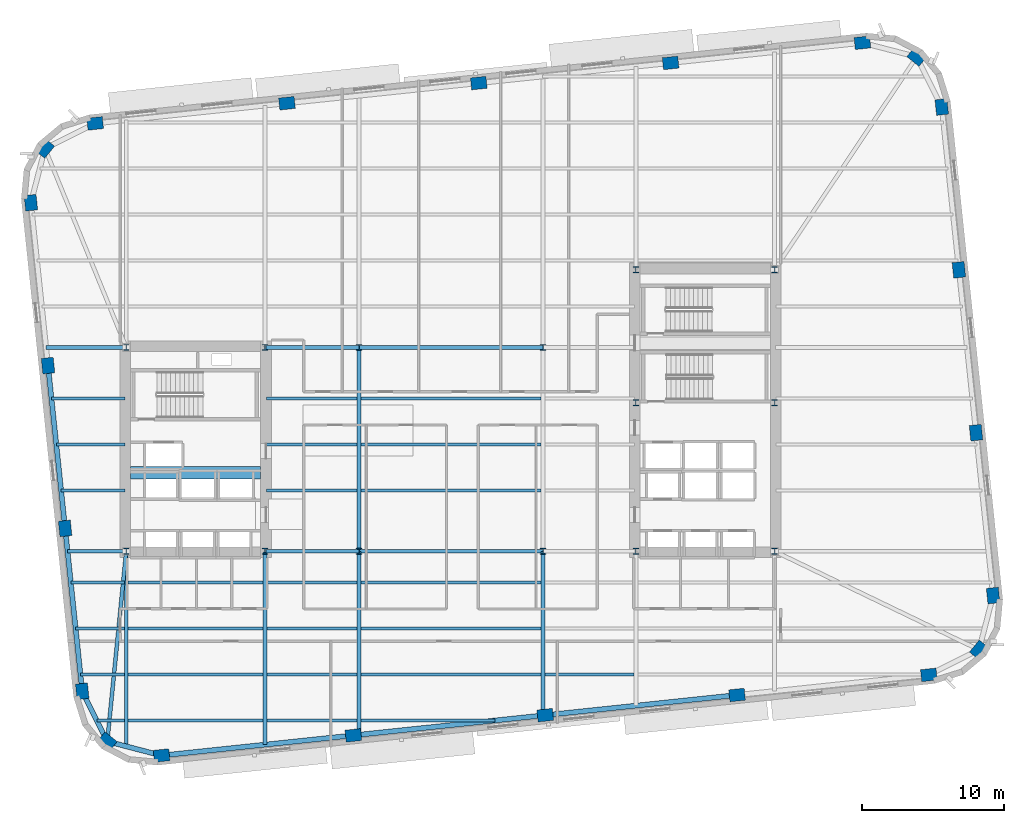
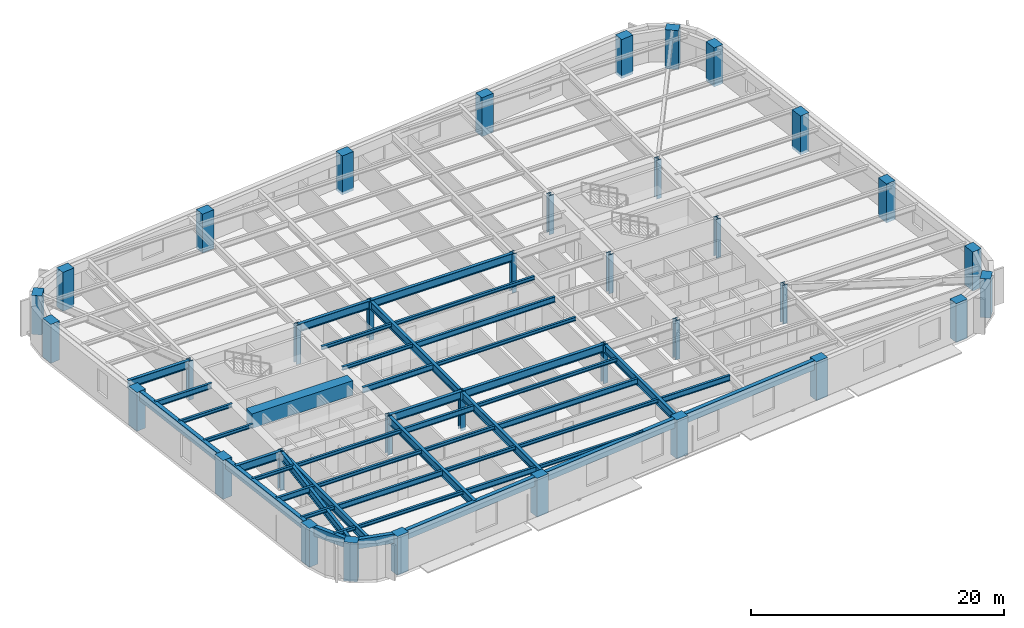
# One storey, part 1 of 15: 46 beams, 36 columns.
"""IFC4 building model written with IfcOpenShell, lengths in metres."""

from ifc_helpers import new_model, si_unit, direction, frame, origin, origin_2d, place, context, subcontext, project, spatial, rectangle, hollow_rectangle, i_section, extrude, material, material_profile, profile_set, type_object, element, save


model = new_model("IFC4")

# Units and contexts
model_context = context("Model", 3, precision=1e-05, world=origin(), true_north=direction((0.0, 1.0)))
body_context = subcontext(model_context, "Body", "Model", "MODEL_VIEW")
ifc_project = project(units=[si_unit("LENGTHUNIT", "METRE"), si_unit("AREAUNIT", "SQUARE_METRE"), si_unit("VOLUMEUNIT", "CUBIC_METRE"), si_unit("PLANEANGLEUNIT", "RADIAN"), si_unit("MASSUNIT", "GRAM", prefix="KILO")], contexts=[model_context])

# Site, building, storey
site_placement = place(None, origin())
site = spatial("IfcSite", under=ifc_project, at=site_placement, CompositionType="ELEMENT")
building_placement = place(site_placement, origin())
building = spatial("IfcBuilding", under=site, at=building_placement, Name="Kolvaren Arena Tower", CompositionType="ELEMENT")
storey_placement = place(building_placement, frame((0.0, 0.0, 107.199951171875)))
storey = spatial("IfcBuildingStorey", under=building, at=storey_placement, Name="L24", CompositionType="ELEMENT", Elevation=107.199951171875)

# Columns
ifc_material_1 = material(Name="Precast concrete C70/85", Category="concrete")
ifc_material_profile_1 = material_profile(ifc_material_1, rectangle(XDim=1.10009765625, YDim=0.85009765625, at=origin_2d()), Name="RC-1100x850")
ifc_profile_set_1 = profile_set([ifc_material_profile_1], Name="Precast concrete C70/85")
column_type_1 = type_object("IfcColumnType", Name="EXCOL-Z2", PredefinedType="COLUMN", material=ifc_profile_set_1)
for number, where, z_axis, x_axis, name in (
    (1, (17.0458984375, 5.024658203125, -0.27001953125), (0.0, 0.0, 1.0), (0.994521895368, 0.104528463268, 0.0), "Exoskeleton Perimeter Column 01 (L24)"),
    (2, (30.59619140625, 6.44873046875, -0.27001953125), (0.0, 0.0, 1.0), (0.994521895368, 0.104528463268, 0.0), "Exoskeleton Perimeter Column 02 (L24)"),
    (3, (44.146728515625, 7.873046875, -0.27001953125), (0.0, 0.0, 1.0), (0.994521895368, 0.104528463268, 0.0), "Exoskeleton Perimeter Column 03 (L24)"),
    (4, (57.697021484375, 9.297119140625, -0.27001953125), (0.0, 0.0, 1.0), (0.994521895368, 0.104528463268, 0.0), "Exoskeleton Perimeter Column 04 (L24)"),
    (5, (71.247314453125, 10.721435546875, -0.27001953125), (0.0, 0.0, 1.0), (0.994521895368, 0.104528463268, 0.0), "Exoskeleton Perimeter Column 05 (L24)"),
    (6, (74.790283203125, 12.49267578125, -0.27001953125), (0.0, 0.0, 1.0), (0.62932039105, 0.777145961457, 0.0), "Exoskeleton Perimeter Column 06 (L24)"),
    (7, (75.786376953125, 16.326416015625, -0.27001953125), (0.0, 0.0, 1.0), (-0.104528463268, 0.994521895368, 0.0), "Exoskeleton Perimeter Column 07 (L24)"),
    (8, (74.577392578125, 27.829833984375, -0.27001953125), (0.0, 0.0, 1.0), (-0.104528463268, 0.994521895368, 0.0), "Exoskeleton Perimeter Column 08 (L24)"),
    (9, (73.368408203125, 39.3330078125, -0.27001953125), (0.0, 0.0, 1.0), (-0.104528463268, 0.994521895368, 0.0), "Exoskeleton Perimeter Column 09 (L24)"),
    (10, (72.1591796875, 50.83642578125, -0.27001953125), (0.0, 0.0, 1.0), (-0.104528463268, 0.994521895368, 0.0), "Exoskeleton Perimeter Column 10 (L24)"),
    (11, (70.387939453125, 54.37939453125, -0.27001953125), (0.0, 0.0, 1.0), (-0.777145961457, 0.62932039105, 0.0), "Exoskeleton Perimeter Column 11 (L24)"),
    (12, (66.55419921875, 55.37548828125, -0.27001953125), (0.0, 0.0, 1.0), (0.994521895368, 0.104528463268, 0.0), "Exoskeleton Perimeter Column 12 (L24)"),
    (13, (53.003662109375, 53.951171875, -0.27001953125), (0.0, 0.0, 1.0), (0.994521895368, 0.104528463268, 0.0), "Exoskeleton Perimeter Column 13 (L24)"),
    (14, (39.453369140625, 52.527099609375, -0.27001953125), (0.0, 0.0, 1.0), (0.994521895368, 0.104528463268, 0.0), "Exoskeleton Perimeter Column 14 (L24)"),
    (15, (25.903076171875, 51.102783203125, -0.27001953125), (0.0, 0.0, 1.0), (0.994521895368, 0.104528463268, 0.0), "Exoskeleton Perimeter Column 15 (L24)"),
    (16, (12.3525390625, 49.6787109375, -0.27001953125), (0.0, 0.0, 1.0), (0.994521895368, 0.104528463268, 0.0), "Exoskeleton Perimeter Column 16 (L24)"),
    (17, (8.8095703125, 47.9072265625, -0.27001953125), (0.0, 0.0, 1.0), (0.62932039105, 0.777145961457, 0.0), "Exoskeleton Perimeter Column 17 (L24)"),
    (18, (7.813720703125, 44.073486328125, -0.27001953125), (0.0, 0.0, 1.0), (-0.104528463268, 0.994521895368, 0.0), "Exoskeleton Perimeter Column 18 (L24)"),
    (19, (9.022705078125, 32.5703125, -0.27001953125), (0.0, 0.0, 1.0), (-0.104528463268, 0.994521895368, 0.0), "Exoskeleton Perimeter Column 19 (L24)"),
    (20, (10.231689453125, 21.06689453125, -0.27001953125), (0.0, 0.0, 1.0), (-0.104528463268, 0.994521895368, 0.0), "Exoskeleton Perimeter Column 20 (L24)"),
    (21, (11.44091796875, 9.5634765625, -0.27001953125), (0.0, 0.0, 1.0), (-0.104528463268, 0.994521895368, 0.0), "Exoskeleton Perimeter Column 21 (L24)"),
    (22, (13.212158203125, 6.0205078125, -0.27001953125), (0.0, 0.0, 1.0), (-0.777145961457, 0.62932039105, 0.0), "Exoskeleton Perimeter Column 22 (L24)"),
):
    element("IfcColumn", number, at=place(storey_placement, frame(where, z_axis=z_axis, x_axis=x_axis)), inside=storey, type_object=column_type_1, Name=name, PredefinedType="COLUMN", context=body_context, shape_type="SweptSolid", body=[
        extrude(rectangle(XDim=1.10009765625, YDim=0.85009765625, at=origin_2d()), origin(), (0.0, 0.0, 1.0), 3.75),
    ])
ifc_material_2 = material(Name="Steel ASTM A913 Grade 65", Category="steel")
ifc_material_profile_2 = material_profile(ifc_material_2, i_section(OverallWidth=0.416015625, OverallDepth=0.446044921875, WebThickness=0.0390625, FlangeThickness=0.062744140625, FilletRadius=0.02001953125, at=origin_2d()), Name="W360x509")
ifc_profile_set_2 = profile_set([ifc_material_profile_2], Name="Steel ASTM A913 Grade 65")
column_type_2 = type_object("IfcColumnType", Name="SCOL-Z2", PredefinedType="COLUMN", material=ifc_profile_set_2)
for number, where, z_axis, x_axis, name in (
    (23, (14.550048828125, 19.449951171875, -0.27001953125), (0.0, 0.0, 1.0), (1.0, 0.0, 0.0), "Core Boundary Column WC-SW (L24)"),
    (24, (24.35009765625, 19.449951171875, -0.27001953125), (0.0, 0.0, 1.0), (1.0, 0.0, 0.0), "Core Boundary Column WC-SE (L24)"),
    (25, (14.550048828125, 33.85009765625, -0.27001953125), (0.0, 0.0, 1.0), (1.0, 0.0, 0.0), "Core Boundary Column WC-NW (L24)"),
    (26, (24.35009765625, 33.85009765625, -0.27001953125), (0.0, 0.0, 1.0), (1.0, 0.0, 0.0), "Core Boundary Column WC-NE (L24)"),
    (27, (50.550048828125, 19.449951171875, -0.27001953125), (0.0, 0.0, 1.0), (1.0, 0.0, 0.0), "Core Boundary Column EC-SW (L24)"),
    (28, (60.35009765625, 19.449951171875, -0.27001953125), (0.0, 0.0, 1.0), (1.0, 0.0, 0.0), "Core Boundary Column EC-SE (L24)"),
    (29, (50.550048828125, 29.949951171875, -0.27001953125), (0.0, 0.0, 1.0), (1.0, 0.0, 0.0), "Core Boundary Column EC-MW (L24)"),
    (30, (60.35009765625, 29.949951171875, -0.27001953125), (0.0, 0.0, 1.0), (1.0, 0.0, 0.0), "Core Boundary Column EC-ME (L24)"),
    (31, (50.550048828125, 39.35009765625, -0.27001953125), (0.0, 0.0, 1.0), (1.0, 0.0, 0.0), "Core Boundary Column EC-NW (L24)"),
    (32, (60.35009765625, 39.35009765625, -0.27001953125), (0.0, 0.0, 1.0), (1.0, 0.0, 0.0), "Core Boundary Column EC-NE (L24)"),
    (33, (31.0, 19.449951171875, -0.27001953125), (0.0, 0.0, 1.0), (1.0, 0.0, 0.0), "Interior Gravity Column TC-SW (L24)"),
    (34, (44.0, 19.449951171875, -0.27001953125), (0.0, 0.0, 1.0), (1.0, 0.0, 0.0), "Interior Gravity Column TC-SE (L24)"),
    (35, (31.0, 33.85009765625, -0.27001953125), (0.0, 0.0, 1.0), (1.0, 0.0, 0.0), "Interior Gravity Column TC-NW (L24)"),
    (36, (44.0, 33.85009765625, -0.27001953125), (0.0, 0.0, 1.0), (1.0, 0.0, 0.0), "Interior Gravity Column TC-NE (L24)"),
):
    element("IfcColumn", number, at=place(storey_placement, frame(where, z_axis=z_axis, x_axis=x_axis)), inside=storey, type_object=column_type_2, Name=name, PredefinedType="COLUMN", context=body_context, shape_type="SweptSolid", body=[
        extrude(i_section(OverallWidth=0.416015625, OverallDepth=0.446044921875, WebThickness=0.0390625, FlangeThickness=0.062744140625, FilletRadius=0.02001953125, at=origin_2d()), origin(), (0.0, 0.0, 1.0), 3.75),
    ])

# Beams
ifc_material_3 = material(Name="Steel CSA G40.21 350W", Category="steel")
ifc_material_profile_3 = material_profile(ifc_material_3, i_section(OverallWidth=0.2119140625, OverallDepth=0.54296875, WebThickness=0.01318359375, FlangeThickness=0.0244140625, FilletRadius=0.013916015625, at=origin_2d()), Name="W530x150")
ifc_profile_set_3 = profile_set([ifc_material_profile_3], Name="Steel CSA G40.21 350W")
beam_type_1 = type_object("IfcBeamType", Name="BEAM-F1", PredefinedType="BEAM", material=ifc_profile_set_3)
beam_1_placement = place(storey_placement, frame((24.485107421875, 7.5, 3.20849609375), z_axis=(1.0, 0.0, 0.0), x_axis=(0.0, 1.0, 0.0)))
element("IfcBeam", 37, at=beam_1_placement, inside=storey, type_object=beam_type_1, Name="Composite Floor Beam (L24)", PredefinedType="BEAM", context=body_context, shape_type="SweptSolid", body=[
    extrude(i_section(OverallWidth=0.2119140625, OverallDepth=0.54296875, WebThickness=0.01318359375, FlangeThickness=0.0244140625, FilletRadius=0.013916015625, at=origin_2d()), origin(), (0.0, 0.0, 1.0), 6.3798828125),
])
beam_2_placement = place(storey_placement, frame((14.68505859375, 10.75, 3.20849609375), z_axis=(1.0, 0.0, 0.0), x_axis=(0.0, 1.0, 0.0)))
element("IfcBeam", 38, at=beam_2_placement, inside=storey, type_object=beam_type_1, Name="Composite Floor Beam (L24)", PredefinedType="BEAM", context=body_context, shape_type="SweptSolid", body=[
    extrude(i_section(OverallWidth=0.2119140625, OverallDepth=0.54296875, WebThickness=0.01318359375, FlangeThickness=0.0244140625, FilletRadius=0.013916015625, at=origin_2d()), origin(), (0.0, 0.0, 1.0), 9.530029296875),
])
beam_3_placement = place(storey_placement, frame((44.135009765625, 10.75, 3.20849609375), z_axis=(1.0, 0.0, 0.0), x_axis=(0.0, 1.0, 0.0)))
element("IfcBeam", 39, at=beam_3_placement, inside=storey, type_object=beam_type_1, Name="Composite Floor Beam (L24)", PredefinedType="BEAM", context=body_context, shape_type="SweptSolid", body=[
    extrude(i_section(OverallWidth=0.2119140625, OverallDepth=0.54296875, WebThickness=0.01318359375, FlangeThickness=0.0244140625, FilletRadius=0.013916015625, at=origin_2d()), origin(), (0.0, 0.0, 1.0), 6.280029296875),
])
beam_4_placement = place(storey_placement, frame((10.974609375, 14.0, 3.20849609375), z_axis=(1.0, 0.0, 0.0), x_axis=(0.0, 1.0, 0.0)))
element("IfcBeam", 40, at=beam_4_placement, inside=storey, type_object=beam_type_1, Name="Composite Floor Beam (L24)", PredefinedType="BEAM", context=body_context, shape_type="SweptSolid", body=[
    extrude(i_section(OverallWidth=0.2119140625, OverallDepth=0.54296875, WebThickness=0.01318359375, FlangeThickness=0.0244140625, FilletRadius=0.013916015625, at=origin_2d()), origin(), (0.0, 0.0, 1.0), 3.4404296875),
])
beam_5_placement = place(storey_placement, frame((31.135009765625, 14.0, 3.20849609375), z_axis=(1.0, 0.0, 0.0), x_axis=(0.0, 1.0, 0.0)))
element("IfcBeam", 41, at=beam_5_placement, inside=storey, type_object=beam_type_1, Name="Composite Floor Beam (L24)", PredefinedType="BEAM", context=body_context, shape_type="SweptSolid", body=[
    extrude(i_section(OverallWidth=0.2119140625, OverallDepth=0.54296875, WebThickness=0.01318359375, FlangeThickness=0.0244140625, FilletRadius=0.013916015625, at=origin_2d()), origin(), (0.0, 0.0, 1.0), 12.72998046875),
])
beam_6_placement = place(storey_placement, frame((24.485107421875, 17.25, 3.20849609375), z_axis=(1.0, 0.0, 0.0), x_axis=(0.0, 1.0, 0.0)))
element("IfcBeam", 42, at=beam_6_placement, inside=storey, type_object=beam_type_1, Name="Composite Floor Beam (L24)", PredefinedType="BEAM", context=body_context, shape_type="SweptSolid", body=[
    extrude(i_section(OverallWidth=0.2119140625, OverallDepth=0.54296875, WebThickness=0.01318359375, FlangeThickness=0.0244140625, FilletRadius=0.013916015625, at=origin_2d()), origin(), (0.0, 0.0, 1.0), 6.3798828125),
])
beam_7_placement = place(storey_placement, frame((24.445068359375, 23.75, 3.20849609375), z_axis=(1.0, 0.0, 0.0), x_axis=(0.0, 1.0, 0.0)))
element("IfcBeam", 43, at=beam_7_placement, inside=storey, type_object=beam_type_1, Name="Composite Floor Beam (L24)", PredefinedType="BEAM", context=body_context, shape_type="SweptSolid", body=[
    extrude(i_section(OverallWidth=0.2119140625, OverallDepth=0.54296875, WebThickness=0.01318359375, FlangeThickness=0.0244140625, FilletRadius=0.013916015625, at=origin_2d()), origin(), (0.0, 0.0, 1.0), 6.419921875),
])
beam_8_placement = place(storey_placement, frame((31.135009765625, 27.0, 3.20849609375), z_axis=(1.0, 0.0, 0.0), x_axis=(0.0, 1.0, 0.0)))
element("IfcBeam", 44, at=beam_8_placement, inside=storey, type_object=beam_type_1, Name="Composite Floor Beam (L24)", PredefinedType="BEAM", context=body_context, shape_type="SweptSolid", body=[
    extrude(i_section(OverallWidth=0.2119140625, OverallDepth=0.54296875, WebThickness=0.01318359375, FlangeThickness=0.0244140625, FilletRadius=0.013916015625, at=origin_2d()), origin(), (0.0, 0.0, 1.0), 12.72998046875),
])
beam_9_placement = place(storey_placement, frame((9.2666015625, 30.25, 3.20849609375), z_axis=(1.0, 0.0, 0.0), x_axis=(0.0, 1.0, 0.0)))
element("IfcBeam", 45, at=beam_9_placement, inside=storey, type_object=beam_type_1, Name="Composite Floor Beam (L24)", PredefinedType="BEAM", context=body_context, shape_type="SweptSolid", body=[
    extrude(i_section(OverallWidth=0.2119140625, OverallDepth=0.54296875, WebThickness=0.01318359375, FlangeThickness=0.0244140625, FilletRadius=0.013916015625, at=origin_2d()), origin(), (0.0, 0.0, 1.0), 5.1884765625),
])
ifc_material_4 = material(Name="Concrete 75 MPa", Category="concrete")
ifc_material_profile_4 = material_profile(ifc_material_4, rectangle(XDim=0.89990234375, YDim=1.39990234375, at=origin_2d()), Name="RC-900x1400")
ifc_profile_set_4 = profile_set([ifc_material_profile_4], Name="Concrete 75 MPa")
beam_type_2 = type_object("IfcBeamType", Name="CB-CORE-1", PredefinedType="BEAM", material=ifc_profile_set_4)
beam_10_placement = place(storey_placement, frame((14.85009765625, 25.0, 3.050048828125), z_axis=(1.0, 0.0, 0.0), x_axis=(0.0, 1.0, 0.0)))
element("IfcBeam", 46, at=beam_10_placement, inside=storey, type_object=beam_type_2, Name="West Core Coupling Beam (L24)", PredefinedType="BEAM", context=body_context, shape_type="SweptSolid", body=[
    extrude(rectangle(XDim=0.89990234375, YDim=1.39990234375, at=origin_2d()), origin(), (0.0, 0.0, 1.0), 9.199951171875),
])
ifc_material_profile_5 = material_profile(ifc_material_3, i_section(OverallWidth=0.27001953125, OverallDepth=0.77294921875, WebThickness=0.019287109375, FlangeThickness=0.033447265625, FilletRadius=0.01806640625, at=origin_2d()), Name="W760x257")
ifc_profile_set_5 = profile_set([ifc_material_profile_5], Name="Steel CSA G40.21 350W")
beam_type_3 = type_object("IfcBeamType", Name="GIRD-T1", PredefinedType="BEAM", material=ifc_profile_set_5)
beam_11_placement = place(storey_placement, frame((13.212158203125, 6.0205078125, 3.093505859375), z_axis=(0.099132957575, 0.995074196592, 0.0), x_axis=(-0.995074196592, 0.099132957575, 0.0)))
element("IfcBeam", 47, at=beam_11_placement, inside=storey, type_object=beam_type_3, Name="Corner Diagonal Tie Girder (L24)", PredefinedType="BEAM", context=body_context, shape_type="SweptSolid", body=[
    extrude(i_section(OverallWidth=0.27001953125, OverallDepth=0.77294921875, WebThickness=0.019287109375, FlangeThickness=0.033447265625, FilletRadius=0.01806640625, at=origin_2d()), origin(), (0.0, 0.0, 1.0), 13.495849609375),
])
beam_12_placement = place(storey_placement, frame((10.401611328125, 19.449951171875, 3.093505859375), z_axis=(1.0, 0.0, 0.0), x_axis=(0.0, 1.0, 0.0)))
element("IfcBeam", 48, at=beam_12_placement, inside=storey, type_object=beam_type_3, Name="Primary Floor Girder (L24)", PredefinedType="BEAM", context=body_context, shape_type="SweptSolid", body=[
    extrude(i_section(OverallWidth=0.27001953125, OverallDepth=0.77294921875, WebThickness=0.019287109375, FlangeThickness=0.033447265625, FilletRadius=0.01806640625, at=origin_2d()), origin(), (0.0, 0.0, 1.0), 4.093505859375),
])
beam_13_placement = place(storey_placement, frame((24.405029296875, 19.449951171875, 3.093505859375), z_axis=(1.0, 0.0, 0.0), x_axis=(0.0, 1.0, 0.0)))
element("IfcBeam", 49, at=beam_13_placement, inside=storey, type_object=beam_type_3, Name="Primary Floor Girder (L24)", PredefinedType="BEAM", context=body_context, shape_type="SweptSolid", body=[
    extrude(i_section(OverallWidth=0.27001953125, OverallDepth=0.77294921875, WebThickness=0.019287109375, FlangeThickness=0.033447265625, FilletRadius=0.01806640625, at=origin_2d()), origin(), (0.0, 0.0, 1.0), 6.594970703125),
])
beam_14_placement = place(storey_placement, frame((31.0, 19.449951171875, 3.093505859375), z_axis=(1.0, 0.0, 0.0), x_axis=(0.0, 1.0, 0.0)))
element("IfcBeam", 50, at=beam_14_placement, inside=storey, type_object=beam_type_3, Name="Primary Floor Girder (L24)", PredefinedType="BEAM", context=body_context, shape_type="SweptSolid", body=[
    extrude(i_section(OverallWidth=0.27001953125, OverallDepth=0.77294921875, WebThickness=0.019287109375, FlangeThickness=0.033447265625, FilletRadius=0.01806640625, at=origin_2d()), origin(), (0.0, 0.0, 1.0), 13.0),
])
beam_15_placement = place(storey_placement, frame((8.88818359375, 33.85009765625, 3.093505859375), z_axis=(1.0, 0.0, 0.0), x_axis=(0.0, 1.0, 0.0)))
element("IfcBeam", 51, at=beam_15_placement, inside=storey, type_object=beam_type_3, Name="Primary Floor Girder (L24)", PredefinedType="BEAM", context=body_context, shape_type="SweptSolid", body=[
    extrude(i_section(OverallWidth=0.27001953125, OverallDepth=0.77294921875, WebThickness=0.019287109375, FlangeThickness=0.033447265625, FilletRadius=0.01806640625, at=origin_2d()), origin(), (0.0, 0.0, 1.0), 5.60693359375),
])
beam_16_placement = place(storey_placement, frame((24.405029296875, 33.85009765625, 3.093505859375), z_axis=(1.0, 0.0, 0.0), x_axis=(0.0, 1.0, 0.0)))
element("IfcBeam", 52, at=beam_16_placement, inside=storey, type_object=beam_type_3, Name="Primary Floor Girder (L24)", PredefinedType="BEAM", context=body_context, shape_type="SweptSolid", body=[
    extrude(i_section(OverallWidth=0.27001953125, OverallDepth=0.77294921875, WebThickness=0.019287109375, FlangeThickness=0.033447265625, FilletRadius=0.01806640625, at=origin_2d()), origin(), (0.0, 0.0, 1.0), 6.594970703125),
])
beam_17_placement = place(storey_placement, frame((31.0, 33.85009765625, 3.093505859375), z_axis=(1.0, 0.0, 0.0), x_axis=(0.0, 1.0, 0.0)))
element("IfcBeam", 53, at=beam_17_placement, inside=storey, type_object=beam_type_3, Name="Primary Floor Girder (L24)", PredefinedType="BEAM", context=body_context, shape_type="SweptSolid", body=[
    extrude(i_section(OverallWidth=0.27001953125, OverallDepth=0.77294921875, WebThickness=0.019287109375, FlangeThickness=0.033447265625, FilletRadius=0.01806640625, at=origin_2d()), origin(), (0.0, 0.0, 1.0), 13.0),
])
beam_18_placement = place(storey_placement, frame((14.550048828125, 5.673095703125, 3.093505859375), z_axis=(0.0, 1.0, 0.0), x_axis=(-1.0, 0.0, 0.0)))
element("IfcBeam", 54, at=beam_18_placement, inside=storey, type_object=beam_type_3, Name="Primary Floor Girder (L24)", PredefinedType="BEAM", context=body_context, shape_type="SweptSolid", body=[
    extrude(i_section(OverallWidth=0.27001953125, OverallDepth=0.77294921875, WebThickness=0.019287109375, FlangeThickness=0.033447265625, FilletRadius=0.01806640625, at=origin_2d()), origin(), (0.0, 0.0, 1.0), 13.721923828125),
])
beam_19_placement = place(storey_placement, frame((24.35009765625, 5.792236328125, 3.093505859375), z_axis=(0.0, 1.0, 0.0), x_axis=(-1.0, 0.0, 0.0)))
element("IfcBeam", 55, at=beam_19_placement, inside=storey, type_object=beam_type_3, Name="Primary Floor Girder (L24)", PredefinedType="BEAM", context=body_context, shape_type="SweptSolid", body=[
    extrude(i_section(OverallWidth=0.27001953125, OverallDepth=0.77294921875, WebThickness=0.019287109375, FlangeThickness=0.033447265625, FilletRadius=0.01806640625, at=origin_2d()), origin(), (0.0, 0.0, 1.0), 13.602783203125),
])
beam_20_placement = place(storey_placement, frame((31.0, 6.4912109375, 3.093505859375), z_axis=(0.0, 1.0, 0.0), x_axis=(-1.0, 0.0, 0.0)))
element("IfcBeam", 56, at=beam_20_placement, inside=storey, type_object=beam_type_3, Name="Primary Floor Girder (L24)", PredefinedType="BEAM", context=body_context, shape_type="SweptSolid", body=[
    extrude(i_section(OverallWidth=0.27001953125, OverallDepth=0.77294921875, WebThickness=0.019287109375, FlangeThickness=0.033447265625, FilletRadius=0.01806640625, at=origin_2d()), origin(), (0.0, 0.0, 1.0), 12.958740234375),
])
beam_21_placement = place(storey_placement, frame((31.0, 19.449951171875, 3.093505859375), z_axis=(0.0, 1.0, 0.0), x_axis=(-1.0, 0.0, 0.0)))
element("IfcBeam", 57, at=beam_21_placement, inside=storey, type_object=beam_type_3, Name="Primary Floor Girder (L24)", PredefinedType="BEAM", context=body_context, shape_type="SweptSolid", body=[
    extrude(i_section(OverallWidth=0.27001953125, OverallDepth=0.77294921875, WebThickness=0.019287109375, FlangeThickness=0.033447265625, FilletRadius=0.01806640625, at=origin_2d()), origin(), (0.0, 0.0, 1.0), 14.400146484375),
])
beam_22_placement = place(storey_placement, frame((44.0, 7.857666015625, 3.093505859375), z_axis=(0.0, 1.0, 0.0), x_axis=(-1.0, 0.0, 0.0)))
element("IfcBeam", 58, at=beam_22_placement, inside=storey, type_object=beam_type_3, Name="Primary Floor Girder (L24)", PredefinedType="BEAM", context=body_context, shape_type="SweptSolid", body=[
    extrude(i_section(OverallWidth=0.27001953125, OverallDepth=0.77294921875, WebThickness=0.019287109375, FlangeThickness=0.033447265625, FilletRadius=0.01806640625, at=origin_2d()), origin(), (0.0, 0.0, 1.0), 11.59228515625),
])
ifc_material_profile_6 = material_profile(ifc_material_3, i_section(OverallWidth=0.202880859375, OverallDepth=0.346923828125, WebThickness=0.0078125, FlangeThickness=0.013427734375, FilletRadius=0.010986328125, at=origin_2d()), Name="W360x64")
ifc_profile_set_6 = profile_set([ifc_material_profile_6], Name="Steel CSA G40.21 350W")
beam_type_4 = type_object("IfcBeamType", Name="JOIST-01", PredefinedType="JOIST", material=ifc_profile_set_6)
beam_23_placement = place(storey_placement, frame((12.472412109375, 7.5, 3.306640625), z_axis=(1.0, 0.0, 0.0), x_axis=(0.0, 1.0, 0.0)))
element("IfcBeam", 59, at=beam_23_placement, inside=storey, type_object=beam_type_4, Name="Composite Floor Joist (L24)", PredefinedType="JOIST", context=body_context, shape_type="SweptSolid", body=[
    extrude(i_section(OverallWidth=0.202880859375, OverallDepth=0.346923828125, WebThickness=0.0078125, FlangeThickness=0.013427734375, FilletRadius=0.010986328125, at=origin_2d()), origin(), (0.0, 0.0, 1.0), 1.942626953125),
])
beam_24_placement = place(storey_placement, frame((14.68505859375, 7.5, 3.306640625), z_axis=(1.0, 0.0, 0.0), x_axis=(0.0, 1.0, 0.0)))
element("IfcBeam", 60, at=beam_24_placement, inside=storey, type_object=beam_type_4, Name="Composite Floor Joist (L24)", PredefinedType="JOIST", context=body_context, shape_type="SweptSolid", body=[
    extrude(i_section(OverallWidth=0.202880859375, OverallDepth=0.346923828125, WebThickness=0.0078125, FlangeThickness=0.013427734375, FilletRadius=0.010986328125, at=origin_2d()), origin(), (0.0, 0.0, 1.0), 9.530029296875),
])
beam_25_placement = place(storey_placement, frame((31.135009765625, 7.5, 3.306640625), z_axis=(1.0, 0.0, 0.0), x_axis=(0.0, 1.0, 0.0)))
element("IfcBeam", 61, at=beam_25_placement, inside=storey, type_object=beam_type_4, Name="Composite Floor Joist (L24)", PredefinedType="JOIST", context=body_context, shape_type="SweptSolid", body=[
    extrude(i_section(OverallWidth=0.202880859375, OverallDepth=0.346923828125, WebThickness=0.0078125, FlangeThickness=0.013427734375, FilletRadius=0.010986328125, at=origin_2d()), origin(), (0.0, 0.0, 1.0), 9.462890625),
])
beam_26_placement = place(storey_placement, frame((11.316162109375, 10.75, 3.306640625), z_axis=(1.0, 0.0, 0.0), x_axis=(0.0, 1.0, 0.0)))
element("IfcBeam", 62, at=beam_26_placement, inside=storey, type_object=beam_type_4, Name="Composite Floor Joist (L24)", PredefinedType="JOIST", context=body_context, shape_type="SweptSolid", body=[
    extrude(i_section(OverallWidth=0.202880859375, OverallDepth=0.346923828125, WebThickness=0.0078125, FlangeThickness=0.013427734375, FilletRadius=0.010986328125, at=origin_2d()), origin(), (0.0, 0.0, 1.0), 3.098876953125),
])
beam_27_placement = place(storey_placement, frame((24.485107421875, 10.75, 3.306640625), z_axis=(1.0, 0.0, 0.0), x_axis=(0.0, 1.0, 0.0)))
element("IfcBeam", 63, at=beam_27_placement, inside=storey, type_object=beam_type_4, Name="Composite Floor Joist (L24)", PredefinedType="JOIST", context=body_context, shape_type="SweptSolid", body=[
    extrude(i_section(OverallWidth=0.202880859375, OverallDepth=0.346923828125, WebThickness=0.0078125, FlangeThickness=0.013427734375, FilletRadius=0.010986328125, at=origin_2d()), origin(), (0.0, 0.0, 1.0), 6.3798828125),
])
beam_28_placement = place(storey_placement, frame((31.135009765625, 10.75, 3.306640625), z_axis=(1.0, 0.0, 0.0), x_axis=(0.0, 1.0, 0.0)))
element("IfcBeam", 64, at=beam_28_placement, inside=storey, type_object=beam_type_4, Name="Composite Floor Joist (L24)", PredefinedType="JOIST", context=body_context, shape_type="SweptSolid", body=[
    extrude(i_section(OverallWidth=0.202880859375, OverallDepth=0.346923828125, WebThickness=0.0078125, FlangeThickness=0.013427734375, FilletRadius=0.010986328125, at=origin_2d()), origin(), (0.0, 0.0, 1.0), 12.72998046875),
])
beam_29_placement = place(storey_placement, frame((14.68505859375, 14.0, 3.306640625), z_axis=(1.0, 0.0, 0.0), x_axis=(0.0, 1.0, 0.0)))
element("IfcBeam", 65, at=beam_29_placement, inside=storey, type_object=beam_type_4, Name="Composite Floor Joist (L24)", PredefinedType="JOIST", context=body_context, shape_type="SweptSolid", body=[
    extrude(i_section(OverallWidth=0.202880859375, OverallDepth=0.346923828125, WebThickness=0.0078125, FlangeThickness=0.013427734375, FilletRadius=0.010986328125, at=origin_2d()), origin(), (0.0, 0.0, 1.0), 9.530029296875),
])
beam_30_placement = place(storey_placement, frame((24.485107421875, 14.0, 3.306640625), z_axis=(1.0, 0.0, 0.0), x_axis=(0.0, 1.0, 0.0)))
element("IfcBeam", 66, at=beam_30_placement, inside=storey, type_object=beam_type_4, Name="Composite Floor Joist (L24)", PredefinedType="JOIST", context=body_context, shape_type="SweptSolid", body=[
    extrude(i_section(OverallWidth=0.202880859375, OverallDepth=0.346923828125, WebThickness=0.0078125, FlangeThickness=0.013427734375, FilletRadius=0.010986328125, at=origin_2d()), origin(), (0.0, 0.0, 1.0), 6.3798828125),
])
beam_31_placement = place(storey_placement, frame((10.6328125, 17.25, 3.306640625), z_axis=(1.0, 0.0, 0.0), x_axis=(0.0, 1.0, 0.0)))
element("IfcBeam", 67, at=beam_31_placement, inside=storey, type_object=beam_type_4, Name="Composite Floor Joist (L24)", PredefinedType="JOIST", context=body_context, shape_type="SweptSolid", body=[
    extrude(i_section(OverallWidth=0.202880859375, OverallDepth=0.346923828125, WebThickness=0.0078125, FlangeThickness=0.013427734375, FilletRadius=0.010986328125, at=origin_2d()), origin(), (0.0, 0.0, 1.0), 3.7822265625),
])
beam_32_placement = place(storey_placement, frame((14.68505859375, 17.25, 3.306640625), z_axis=(1.0, 0.0, 0.0), x_axis=(0.0, 1.0, 0.0)))
element("IfcBeam", 68, at=beam_32_placement, inside=storey, type_object=beam_type_4, Name="Composite Floor Joist (L24)", PredefinedType="JOIST", context=body_context, shape_type="SweptSolid", body=[
    extrude(i_section(OverallWidth=0.202880859375, OverallDepth=0.346923828125, WebThickness=0.0078125, FlangeThickness=0.013427734375, FilletRadius=0.010986328125, at=origin_2d()), origin(), (0.0, 0.0, 1.0), 9.530029296875),
])
beam_33_placement = place(storey_placement, frame((31.135009765625, 17.25, 3.306640625), z_axis=(1.0, 0.0, 0.0), x_axis=(0.0, 1.0, 0.0)))
element("IfcBeam", 69, at=beam_33_placement, inside=storey, type_object=beam_type_4, Name="Composite Floor Joist (L24)", PredefinedType="JOIST", context=body_context, shape_type="SweptSolid", body=[
    extrude(i_section(OverallWidth=0.202880859375, OverallDepth=0.346923828125, WebThickness=0.0078125, FlangeThickness=0.013427734375, FilletRadius=0.010986328125, at=origin_2d()), origin(), (0.0, 0.0, 1.0), 12.72998046875),
])
beam_34_placement = place(storey_placement, frame((9.94970703125, 23.75, 3.306640625), z_axis=(1.0, 0.0, 0.0), x_axis=(0.0, 1.0, 0.0)))
element("IfcBeam", 70, at=beam_34_placement, inside=storey, type_object=beam_type_4, Name="Composite Floor Joist (L24)", PredefinedType="JOIST", context=body_context, shape_type="SweptSolid", body=[
    extrude(i_section(OverallWidth=0.202880859375, OverallDepth=0.346923828125, WebThickness=0.0078125, FlangeThickness=0.013427734375, FilletRadius=0.010986328125, at=origin_2d()), origin(), (0.0, 0.0, 1.0), 4.50537109375),
])
beam_35_placement = place(storey_placement, frame((31.135009765625, 23.75, 3.306640625), z_axis=(1.0, 0.0, 0.0), x_axis=(0.0, 1.0, 0.0)))
element("IfcBeam", 71, at=beam_35_placement, inside=storey, type_object=beam_type_4, Name="Composite Floor Joist (L24)", PredefinedType="JOIST", context=body_context, shape_type="SweptSolid", body=[
    extrude(i_section(OverallWidth=0.202880859375, OverallDepth=0.346923828125, WebThickness=0.0078125, FlangeThickness=0.013427734375, FilletRadius=0.010986328125, at=origin_2d()), origin(), (0.0, 0.0, 1.0), 12.72998046875),
])
beam_36_placement = place(storey_placement, frame((9.608154296875, 27.0, 3.306640625), z_axis=(1.0, 0.0, 0.0), x_axis=(0.0, 1.0, 0.0)))
element("IfcBeam", 72, at=beam_36_placement, inside=storey, type_object=beam_type_4, Name="Composite Floor Joist (L24)", PredefinedType="JOIST", context=body_context, shape_type="SweptSolid", body=[
    extrude(i_section(OverallWidth=0.202880859375, OverallDepth=0.346923828125, WebThickness=0.0078125, FlangeThickness=0.013427734375, FilletRadius=0.010986328125, at=origin_2d()), origin(), (0.0, 0.0, 1.0), 4.846923828125),
])
for number, where, z_axis, x_axis, name in (
    (73, (24.445068359375, 27.0, 3.306640625), (1.0, 0.0, 0.0), (0.0, 1.0, 0.0), "Composite Floor Joist (L24)"),
    (74, (24.445068359375, 30.25, 3.306640625), (1.0, 0.0, 0.0), (0.0, 1.0, 0.0), "Composite Floor Joist (L24)"),
):
    element("IfcBeam", number, at=place(storey_placement, frame(where, z_axis=z_axis, x_axis=x_axis)), inside=storey, type_object=beam_type_4, Name=name, PredefinedType="JOIST", context=body_context, shape_type="SweptSolid", body=[
        extrude(i_section(OverallWidth=0.202880859375, OverallDepth=0.346923828125, WebThickness=0.0078125, FlangeThickness=0.013427734375, FilletRadius=0.010986328125, at=origin_2d()), origin(), (0.0, 0.0, 1.0), 6.419921875),
    ])
beam_37_placement = place(storey_placement, frame((31.135009765625, 30.25, 3.306640625), z_axis=(1.0, 0.0, 0.0), x_axis=(0.0, 1.0, 0.0)))
element("IfcBeam", 75, at=beam_37_placement, inside=storey, type_object=beam_type_4, Name="Composite Floor Joist (L24)", PredefinedType="JOIST", context=body_context, shape_type="SweptSolid", body=[
    extrude(i_section(OverallWidth=0.202880859375, OverallDepth=0.346923828125, WebThickness=0.0078125, FlangeThickness=0.013427734375, FilletRadius=0.010986328125, at=origin_2d()), origin(), (0.0, 0.0, 1.0), 12.72998046875),
])
ifc_material_5 = material(Name="Steel CSA G40.21 350WT", Category="steel")
ifc_material_profile_7 = material_profile(ifc_material_5, hollow_rectangle(XDim=0.35009765625, YDim=0.89990234375, WallThickness=0.02001953125, at=origin_2d()), Name="HSS 900x350x20")
ifc_profile_set_7 = profile_set([ifc_material_profile_7], Name="Steel CSA G40.21 350WT")
beam_type_5 = type_object("IfcBeamType", Name="SPAND-01", PredefinedType="SPANDREL", material=ifc_profile_set_7)
beam_38_placement = place(storey_placement, frame((17.0458984375, 5.024658203125, 3.030029296875), z_axis=(0.994522817887, 0.104519685718, 0.0), x_axis=(-0.104519685718, 0.994522817887, 0.0)))
element("IfcBeam", 76, at=beam_38_placement, inside=storey, type_object=beam_type_5, Name="Perimeter Spandrel Beam (L24)", PredefinedType="SPANDREL", context=body_context, shape_type="SweptSolid", body=[
    extrude(hollow_rectangle(XDim=0.35009765625, YDim=0.89990234375, WallThickness=0.02001953125, at=origin_2d()), origin(), (0.0, 0.0, 1.0), 13.625),
])
beam_39_placement = place(storey_placement, frame((30.59619140625, 6.44873046875, 3.030029296875), z_axis=(0.994521150946, 0.104535545729, 0.0), x_axis=(-0.104535545729, 0.994521150946, 0.0)))
element("IfcBeam", 77, at=beam_39_placement, inside=storey, type_object=beam_type_5, Name="Perimeter Spandrel Beam (L24)", PredefinedType="SPANDREL", context=body_context, shape_type="SweptSolid", body=[
    extrude(hollow_rectangle(XDim=0.35009765625, YDim=0.89990234375, WallThickness=0.02001953125, at=origin_2d()), origin(), (0.0, 0.0, 1.0), 13.625244140625),
])
beam_40_placement = place(storey_placement, frame((44.146728515625, 7.873046875, 3.030029296875), z_axis=(0.994522817887, 0.104519685718, 0.0), x_axis=(-0.104519685718, 0.994522817887, 0.0)))
element("IfcBeam", 78, at=beam_40_placement, inside=storey, type_object=beam_type_5, Name="Perimeter Spandrel Beam (L24)", PredefinedType="SPANDREL", context=body_context, shape_type="SweptSolid", body=[
    extrude(hollow_rectangle(XDim=0.35009765625, YDim=0.89990234375, WallThickness=0.02001953125, at=origin_2d()), origin(), (0.0, 0.0, 1.0), 13.625),
])
for number, where, z_axis, x_axis, name in (
    (79, (9.022705078125, 32.5703125, 3.030029296875), (0.104522171998, -0.994522556587, 0.0), (0.994522556587, 0.104522171998, 0.0), "Perimeter Spandrel Beam (L24)"),
    (80, (10.231689453125, 21.06689453125, 3.030029296875), (0.104543048399, -0.994520362301, 0.0), (0.994520362301, 0.104543048399, 0.0), "Perimeter Spandrel Beam (L24)"),
):
    element("IfcBeam", number, at=place(storey_placement, frame(where, z_axis=z_axis, x_axis=x_axis)), inside=storey, type_object=beam_type_5, Name=name, PredefinedType="SPANDREL", context=body_context, shape_type="SweptSolid", body=[
        extrude(hollow_rectangle(XDim=0.35009765625, YDim=0.89990234375, WallThickness=0.02001953125, at=origin_2d()), origin(), (0.0, 0.0, 1.0), 11.56689453125),
    ])
for number, where, z_axis, x_axis, name in (
    (81, (11.44091796875, 9.5634765625, 3.030029296875), (0.44716428656, -0.894451843771, 0.0), (0.894451843771, 0.44716428656, 0.0), "Perimeter Spandrel Beam (L24)"),
    (82, (13.212158203125, 6.0205078125, 3.030029296875), (0.96787922294, -0.25141561169, 0.0), (0.25141561169, 0.96787922294, 0.0), "Perimeter Spandrel Beam (L24)"),
):
    element("IfcBeam", number, at=place(storey_placement, frame(where, z_axis=z_axis, x_axis=x_axis)), inside=storey, type_object=beam_type_5, Name=name, PredefinedType="SPANDREL", context=body_context, shape_type="SweptSolid", body=[
        extrude(hollow_rectangle(XDim=0.35009765625, YDim=0.89990234375, WallThickness=0.02001953125, at=origin_2d()), origin(), (0.0, 0.0, 1.0), 3.9609375),
    ])

save(model, "model.ifc")
